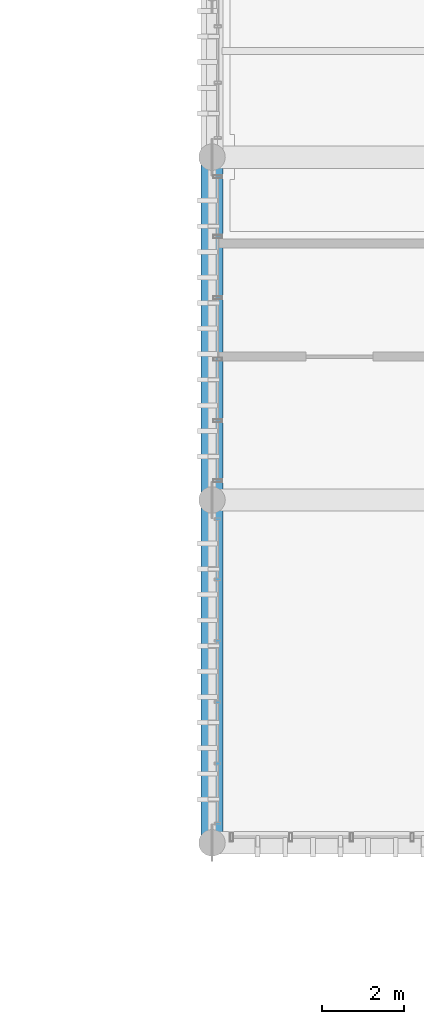
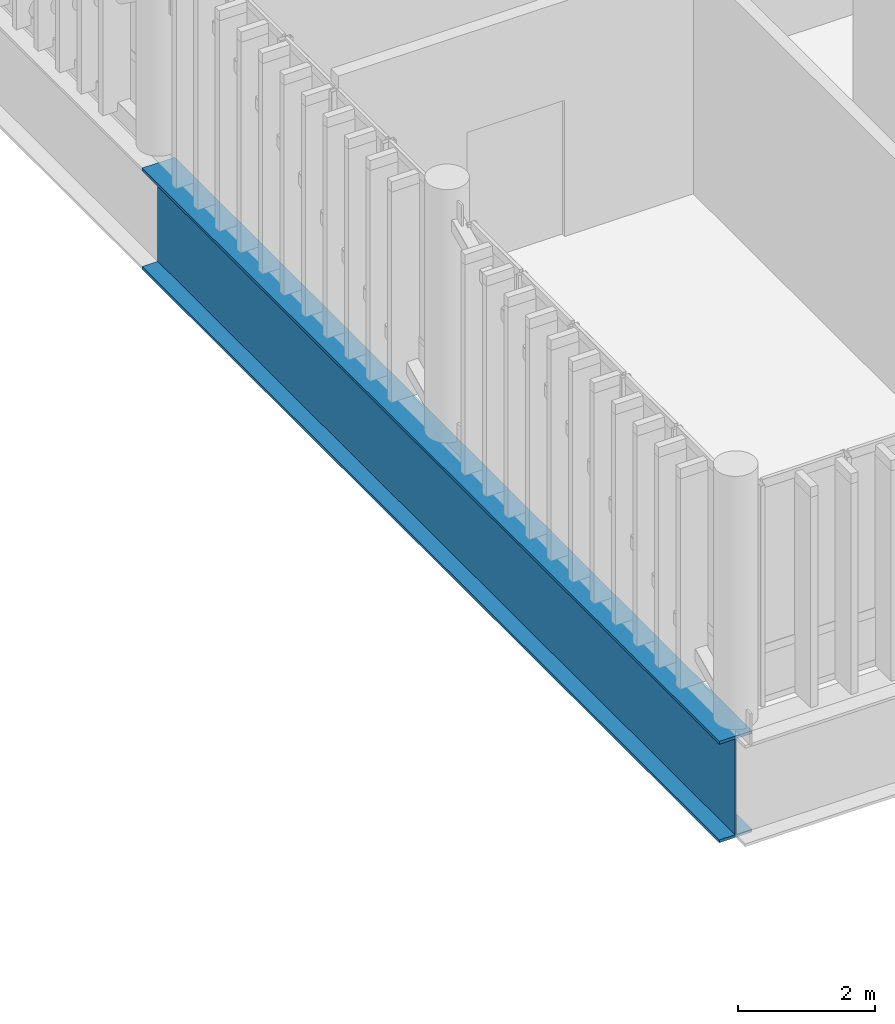
# One storey, part 27 of 53: 1 beam.
"""IFC4 building model written with IfcOpenShell, lengths in metres."""

from ifc_helpers import new_model, si_unit, direction, frame, origin_with_axes, origin_2d_with_axis, place, context, subcontext, project, spatial, i_section, extrude, material, material_profile, profile_set, type_object, element, save


model = new_model("IFC4")

# Units and contexts
model_context = context("Model", 3, precision=1e-05, world=origin_with_axes(), true_north=direction((0.0, 1.0)))
body_context = subcontext(model_context, "Body", "Model", "MODEL_VIEW")
ifc_project = project(units=[si_unit("LENGTHUNIT", "METRE"), si_unit("AREAUNIT", "SQUARE_METRE"), si_unit("VOLUMEUNIT", "CUBIC_METRE"), si_unit("PLANEANGLEUNIT", "RADIAN"), si_unit("MASSUNIT", "GRAM", prefix="KILO"), si_unit("THERMODYNAMICTEMPERATUREUNIT", "KELVIN")], contexts=[model_context])

# Site, building, storey
site_placement = place(None, origin_with_axes())
site = spatial("IfcSite", under=ifc_project, at=site_placement, CompositionType="ELEMENT")
building_placement = place(site_placement, origin_with_axes())
building = spatial("IfcBuilding", under=site, at=building_placement, Name="Montbau Bow Law Courts", CompositionType="ELEMENT")
storey_placement = place(building_placement, frame((0.0, 0.0, 39.0), z_axis=(0.0, 0.0, 1.0), x_axis=(1.0, 0.0, 0.0)))
storey = spatial("IfcBuildingStorey", under=building, at=storey_placement, Name="L08", CompositionType="ELEMENT", Elevation=39.0)

# Beam
ifc_material = material(Name="Steel CSA G40.21 Grade 350WT (350 MPa)", Category="steel")
ifc_material_profile = material_profile(ifc_material, i_section(OverallWidth=0.55, OverallDepth=1.8, WebThickness=0.022, FlangeThickness=0.05, at=origin_2d_with_axis()), Name="WWF1800X550", Category="Main", Priority=0)
ifc_profile_set = profile_set([ifc_material_profile], Name="Steel CSA G40.21 Grade 350WT (350 MPa)")
beam_type = type_object("IfcBeamType", Name="B-TRG-01", PredefinedType="USERDEFINED", material=ifc_profile_set)
beam_placement = place(None, frame((138.6, 86.4, 37.76), z_axis=(0.0, 1.0, 0.0), x_axis=(-1.0, 0.0, 0.0)))
element("IfcBeam", 1, at=beam_placement, inside=storey, type_object=beam_type, Name="TRG-L08-S0096:bm2_0099", ObjectType="GIRDER", PredefinedType="USERDEFINED", context=body_context, shape_type="SweptSolid", body=[
    extrude(i_section(OverallWidth=0.55, OverallDepth=1.8, WebThickness=0.022, FlangeThickness=0.05, at=origin_2d_with_axis()), origin_with_axes(), (0.0, 0.0, 1.0), 16.8),
])

save(model, "model.ifc")
